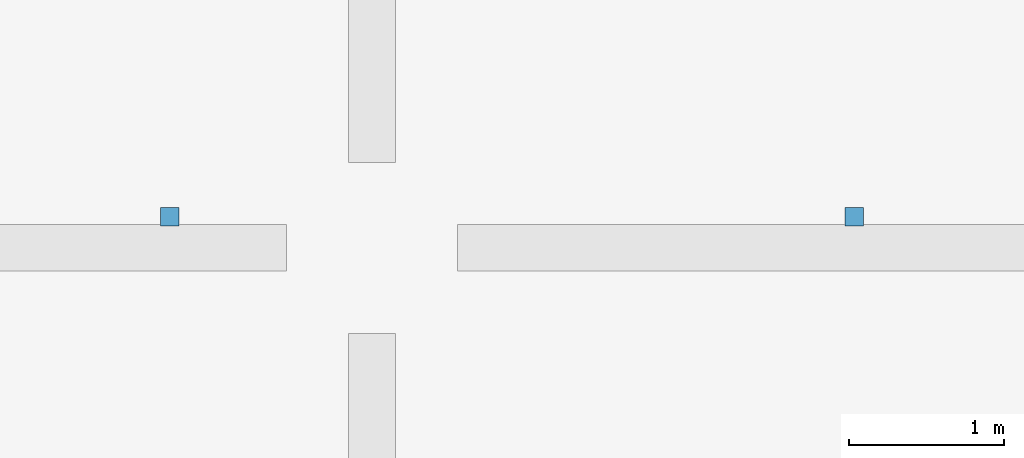
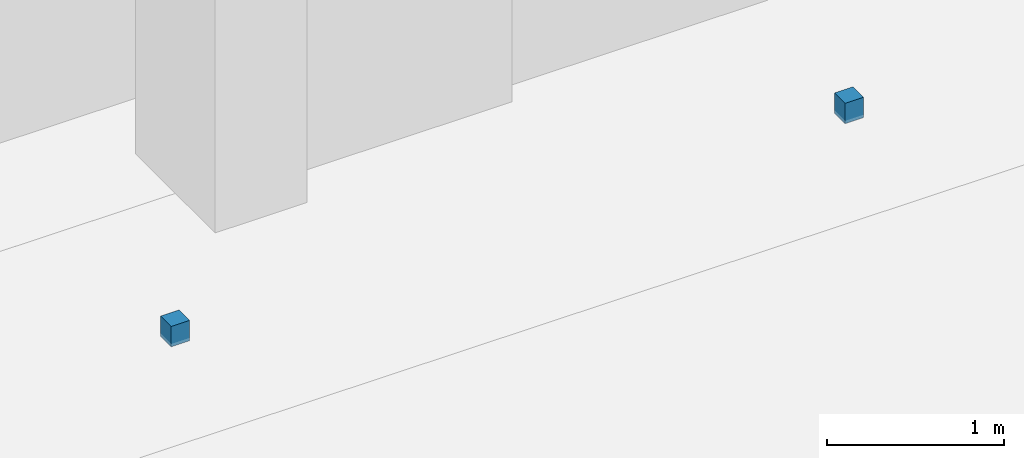
# One storey, part 44 of 58: 2 discrete accessories.
"""IFC4 building model written with IfcOpenShell, lengths in metres."""

import ifcopenshell
import ifcopenshell.guid

model = None  # the IFC model being written
_history = None  # IfcOwnerHistory: only IFC2X3 demands one
_inside = {}  # id of a spatial element -> (the spatial element, [elements in it])
_under = {}  # id of a project, library or spatial element -> (it, [spatial elements below it])
_declared = {}  # id of a project -> (the project, [libraries it declares])
_typed = {}  # id of a type object -> (the type object, [elements of that type])
_made_of = {}  # id of a material, layer set ... -> (it, [elements and type objects made of it])


def new_model(schema):
    """Start an empty IFC model of exactly this schema.

    Asked for "IFC4X3", IfcOpenShell would pick the latest addendum, in which some entities
    have other attributes; the version numbers below select the first issue.
    IFC2X3 requires an IfcOwnerHistory on every rooted entity: one is made here for all.
    """
    global model, _history
    if schema == "IFC4X3":
        model = ifcopenshell.file(schema_version=(4, 3, 0, 0))
    else:
        model = ifcopenshell.file(schema=schema)
    _inside.clear()
    _under.clear()
    _declared.clear()
    _typed.clear()
    _made_of.clear()
    _history = None
    if model.schema == "IFC2X3":
        org = make("IfcOrganization", Name="unknown")
        user = make(
            "IfcPersonAndOrganization",
            ThePerson=make("IfcPerson", FamilyName="unknown"),
            TheOrganization=org,
        )
        app = make(
            "IfcApplication",
            ApplicationDeveloper=org,
            Version="unknown",
            ApplicationFullName="unknown",
            ApplicationIdentifier="unknown",
        )
        _history = make(
            "IfcOwnerHistory",
            OwningUser=user,
            OwningApplication=app,
            ChangeAction="ADDED",
            CreationDate=0,
        )
    return model


def make(cls, **values):
    """One entity of the class cls with the attributes given. An attribute that is None is left unset."""
    return model.create_entity(
        cls, **{name: value for name, value in values.items() if value is not None}
    )


def rooted(cls, **values):
    """An entity with a GlobalId (a new one), such as an element, a storey or a relation."""
    return make(cls, GlobalId=ifcopenshell.guid.new(), OwnerHistory=_history, **values)


def si_unit(unit_type, name, prefix=None):
    """IfcSIUnit, for example si_unit("LENGTHUNIT", "METRE", prefix="MILLI")."""
    return make("IfcSIUnit", UnitType=unit_type, Prefix=prefix, Name=name)


def assignment(units):
    """IfcUnitAssignment: the units of a project."""
    return None if units is None else make("IfcUnitAssignment", Units=units)


def point(xyz):
    """IfcCartesianPoint."""
    return None if xyz is None else make("IfcCartesianPoint", Coordinates=xyz)


def direction(xyz):
    """IfcDirection."""
    return None if xyz is None else make("IfcDirection", DirectionRatios=xyz)


def frame(location, z_axis=None, x_axis=None):
    """IfcAxis2Placement3D, a coordinate frame: its origin and axes. An axis left out is left unset."""
    return make(
        "IfcAxis2Placement3D",
        Location=point(location),
        Axis=direction(z_axis),
        RefDirection=direction(x_axis),
    )


def frame_2d(location, x_axis=None):
    """IfcAxis2Placement2D, a coordinate frame in the plane: its origin and x axis."""
    return make(
        "IfcAxis2Placement2D", Location=point(location), RefDirection=direction(x_axis)
    )


def origin():
    """The frame at (0, 0, 0) with its axes left unset."""
    return frame((0.0, 0.0, 0.0))


def origin_2d():
    """The frame at (0, 0) in the plane with its x axis left unset."""
    return frame_2d((0.0, 0.0))


def place(relative_to, where):
    """IfcLocalPlacement: puts the frame where relative to a parent placement (None: the world)."""
    return make(
        "IfcLocalPlacement", PlacementRelTo=relative_to, RelativePlacement=where
    )


def context(
    kind, dimensions, precision=None, world=None, true_north=None, identifier=None
):
    """IfcGeometricRepresentationContext, for example the 3D "Model" context."""
    return make(
        "IfcGeometricRepresentationContext",
        ContextIdentifier=identifier,
        ContextType=kind,
        CoordinateSpaceDimension=dimensions,
        Precision=precision,
        WorldCoordinateSystem=world,
        TrueNorth=true_north,
    )


def subcontext(parent, identifier, kind, view, scale=None):
    """IfcGeometricRepresentationSubContext, for example "Body" below "Model"."""
    return make(
        "IfcGeometricRepresentationSubContext",
        ContextIdentifier=identifier,
        ContextType=kind,
        ParentContext=parent,
        TargetScale=scale,
        TargetView=view,
    )


def project(units=None, contexts=None):
    """IfcProject with its units and contexts."""
    return rooted(
        "IfcProject",
        Name="project",
        RepresentationContexts=contexts,
        UnitsInContext=assignment(units),
    )


def spatial(cls, under=None, at=None, **own):
    """A site, building, storey or space (cls), placed at a placement, below another one or the project."""
    s = rooted(cls, ObjectPlacement=at, **own)
    if under is not None:
        _under.setdefault(under.id(), (under, []))[1].append(s)
    return s


def profile(cls, at=None, kind="AREA", **sizes):
    """A parametric profile (cls). Its sizes go by their IFC names, for example OverallWidth=200.0."""
    return make(cls, ProfileType=kind, Position=at, **sizes)


def rectangle(**sizes):
    """IfcRectangleProfileDef."""
    return profile("IfcRectangleProfileDef", **sizes)


def extrude(swept, where, along, depth):
    """IfcExtrudedAreaSolid: the profile swept, set in the frame where, extruded along a direction by depth."""
    return make(
        "IfcExtrudedAreaSolid",
        SweptArea=swept,
        Position=where,
        ExtrudedDirection=direction(along),
        Depth=depth,
    )


def shape(context_of_items, identifier, shape_type, items):
    """IfcShapeRepresentation: the items that make up one representation, for example the "Body"."""
    return make(
        "IfcShapeRepresentation",
        ContextOfItems=context_of_items,
        RepresentationIdentifier=identifier,
        RepresentationType=shape_type,
        Items=items,
    )


def material(Name=None, Category=None):
    """IfcMaterial."""
    return make("IfcMaterial", Name=Name, Category=Category)


def made_of(thing, what):
    """Note that an element or type object is made of a material, layer set ...; save() writes the relation."""
    if what is not None:
        _made_of.setdefault(what.id(), (what, []))[1].append(thing)
    return thing


def type_object(cls, material=None, **own):
    """A type object (cls), such as IfcWallType, which elements share."""
    return made_of(rooted(cls, **own), material)


def element(
    cls,
    number,
    at=None,
    inside=None,
    cuts=None,
    type_object=None,
    material=None,
    context=None,
    identifier="Body",
    shape_type=None,
    held_by="IfcProductDefinitionShape",
    body=None,
    shapes=None,
    **own,
):
    """One element of the class cls, such as IfcWall. Its Tag is "e" and its number.

    at: its placement. inside: the storey or other place that contains it. cuts: it is an
    opening in that element (IfcRelVoidsElement). A single representation is given by context,
    identifier, shape_type and body (its items); several are given by shapes. held_by: the class
    of the entity that holds the representations. save() writes the other relations.
    """
    e = rooted(cls, Tag="e%d" % number, ObjectPlacement=at, **own)
    if body is not None:
        shapes = [shape(context, identifier, shape_type, body)]
    if shapes is not None:
        e.Representation = make(held_by, Representations=shapes)
    if inside is not None:
        _inside.setdefault(inside.id(), (inside, []))[1].append(e)
    if cuts is not None:
        rooted(
            "IfcRelVoidsElement", RelatingBuildingElement=cuts, RelatedOpeningElement=e
        )
    if type_object is not None:
        _typed.setdefault(type_object.id(), (type_object, []))[1].append(e)
    return made_of(e, material)


def aggregate(whole, parts):
    """IfcRelAggregates: a whole, such as a stair, and the parts it consists of."""
    return rooted("IfcRelAggregates", RelatingObject=whole, RelatedObjects=parts)


def save(model, path):
    """Write the relations noted so far, then the file.

    IfcRelAggregates (storeys below a building ...), IfcRelContainedInSpatialStructure (elements
    in a storey), IfcRelDefinesByType, IfcRelAssociatesMaterial and IfcRelDeclares: one each for
    every whole, place, type object, material and project.
    """
    for whole, parts in _under.values():
        aggregate(whole, parts)
    for where, things in _inside.values():
        rooted(
            "IfcRelContainedInSpatialStructure",
            RelatedElements=things,
            RelatingStructure=where,
        )
    for kind, things in _typed.values():
        rooted("IfcRelDefinesByType", RelatedObjects=things, RelatingType=kind)
    for what, things in _made_of.values():
        rooted("IfcRelAssociatesMaterial", RelatedObjects=things, RelatingMaterial=what)
    for by, libraries in _declared.values():
        rooted("IfcRelDeclares", RelatingContext=by, RelatedDefinitions=libraries)
    model.write(path)


model = new_model("IFC4")

# Units and contexts
model_context = context("Model", 3, precision=1e-05, world=origin(), true_north=direction((0.0, 1.0)))
body_context = subcontext(model_context, "Body", "Model", "MODEL_VIEW")
ifc_project = project(units=[si_unit("LENGTHUNIT", "METRE"), si_unit("AREAUNIT", "SQUARE_METRE"), si_unit("VOLUMEUNIT", "CUBIC_METRE"), si_unit("PLANEANGLEUNIT", "RADIAN"), si_unit("MASSUNIT", "GRAM", prefix="KILO")], contexts=[model_context])

# Site, building, storey
site_placement = place(None, origin())
site = spatial("IfcSite", under=ifc_project, at=site_placement, CompositionType="ELEMENT")
building_placement = place(site_placement, origin())
building = spatial("IfcBuilding", under=site, at=building_placement, Name="Qandorah Velis Arena", CompositionType="ELEMENT")
storey_placement = place(building_placement, origin())
storey = spatial("IfcBuildingStorey", under=building, at=storey_placement, Name="L00", CompositionType="ELEMENT", Elevation=0.0)

# Discrete accessories
ifc_material = material(Name="Stainless steel 316", Category="steel")
discrete_accessory_type = type_object("IfcDiscreteAccessoryType", Name="ARC-ACC-BRK", PredefinedType="BRACKET", material=ifc_material)
for number, where, z_axis, x_axis, name in (
    (1, (128.300048828125, 29.0, 10.47998046875), (0.0, 0.0, 1.0), (1.0, 0.0, 0.0), "Ceiling cloud hanger bracket HGR-01.1"),
    (2, (132.699951171875, 29.0, 10.47998046875), (0.0, 0.0, 1.0), (1.0, 0.0, 0.0), "Ceiling cloud hanger bracket HGR-01.2"),
):
    element("IfcDiscreteAccessory", number, at=place(storey_placement, frame(where, z_axis=z_axis, x_axis=x_axis)), inside=storey, type_object=discrete_accessory_type, Name=name, PredefinedType="BRACKET", context=body_context, shape_type="SweptSolid", body=[
        extrude(rectangle(XDim=0.1201171875, YDim=0.1201171875, at=origin_2d()), origin(), (0.0, 0.0, 1.0), 0.139892578125),
    ])

save(model, "model.ifc")
